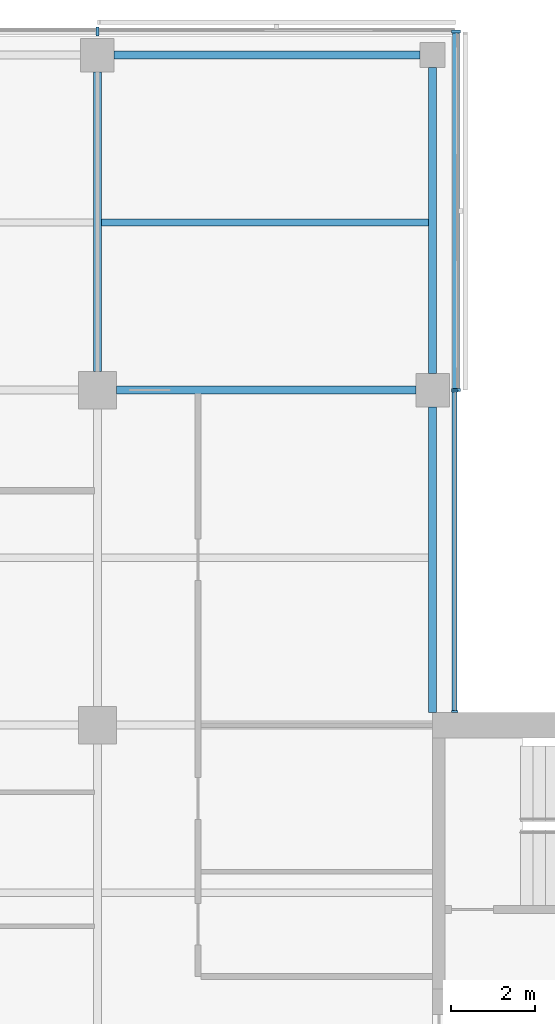
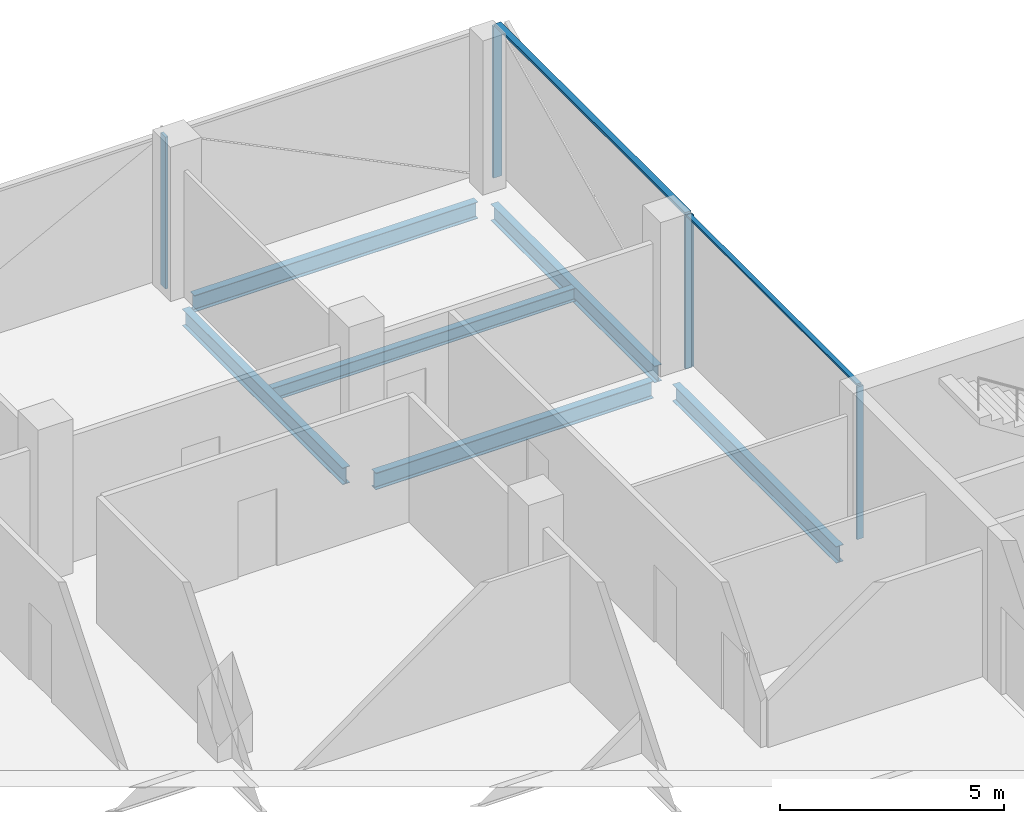
# One storey, part 7 of 15: 7 members, 6 beams, 3 elements without a shape of their own.
"""IFC4 building model written with IfcOpenShell, lengths in metres."""

from ifc_helpers import new_model, si_unit, direction, frame, origin, origin_2d, place, context, subcontext, project, spatial, rectangle, i_section, extrude, material, material_profile, profile_set, type_object, element, aggregate, save


model = new_model("IFC4")

# Units and contexts
model_context = context("Model", 3, precision=1e-05, world=origin(), true_north=direction((0.0, 1.0)))
body_context = subcontext(model_context, "Body", "Model", "MODEL_VIEW")
ifc_project = project(units=[si_unit("LENGTHUNIT", "METRE"), si_unit("AREAUNIT", "SQUARE_METRE"), si_unit("VOLUMEUNIT", "CUBIC_METRE"), si_unit("PLANEANGLEUNIT", "RADIAN"), si_unit("MASSUNIT", "GRAM", prefix="KILO")], contexts=[model_context])

# Site, building, storey
site_placement = place(None, origin())
site = spatial("IfcSite", under=ifc_project, at=site_placement, CompositionType="ELEMENT")
building_placement = place(site_placement, origin())
building = spatial("IfcBuilding", under=site, at=building_placement, Name="Crosswind Convention Tower", CompositionType="ELEMENT")
storey_placement = place(building_placement, frame((0.0, 0.0, 199.89990234375)))
storey = spatial("IfcBuildingStorey", under=building, at=storey_placement, Name="L42", CompositionType="ELEMENT", Elevation=199.89990234375)

# Beams
ifc_material_1 = material(Name="Steel S355", Category="steel")
ifc_material_profile_1 = material_profile(ifc_material_1, i_section(OverallWidth=0.18994140625, OverallDepth=0.45361328125, WebThickness=0.008544921875, FlangeThickness=0.0126953125, FilletRadius=0.01025390625, at=origin_2d()), Name="UB 457x191x67")
ifc_profile_set_1 = profile_set([ifc_material_profile_1], Name="Steel S355")
beam_type_1 = type_object("IfcBeamType", Name="Edge beam UB 457x191x67", PredefinedType="SPANDREL", material=ifc_profile_set_1)
for number, where, z_axis, x_axis, name in (
    (1, (129.39990234375, 128.0, -0.526611328125), (1.0, 0.0, 0.0), (0.0, 1.0, 0.0), "B16 L42 edge beam 10"),
    (2, (137.0, 112.300048828125, -0.526611328125), (0.0, 1.0, 0.0), (-1.0, 0.0, 0.0), "B16 L42 edge beam 13"),
    (3, (137.0, 120.39990234375, -0.526611328125), (0.0, 1.0, 0.0), (-1.0, 0.0, 0.0), "B16 L42 edge beam 14"),
):
    element("IfcBeam", number, at=place(storey_placement, frame(where, z_axis=z_axis, x_axis=x_axis)), inside=storey, type_object=beam_type_1, Name=name, PredefinedType="SPANDREL", context=body_context, shape_type="SweptSolid", body=[
        extrude(i_section(OverallWidth=0.18994140625, OverallDepth=0.45361328125, WebThickness=0.008544921875, FlangeThickness=0.0126953125, FilletRadius=0.01025390625, at=origin_2d()), origin(), (0.0, 0.0, 1.0), 7.300048828125),
    ])
ifc_material_profile_2 = material_profile(ifc_material_1, i_section(OverallWidth=0.1904296875, OverallDepth=0.457275390625, WebThickness=0.009033203125, FlangeThickness=0.014404296875, FilletRadius=0.01025390625, at=origin_2d()), Name="UB 457x191x75")
ifc_profile_set_2 = profile_set([ifc_material_profile_2], Name="Steel S355")
beam_type_2 = type_object("IfcBeamType", Name="Girder UB 457x191x75", PredefinedType="BEAM", material=ifc_profile_set_2)
for number, where, z_axis, x_axis, name in (
    (4, (129.0, 120.449951171875, -0.528564453125), (0.0, 1.0, 0.0), (-1.0, 0.0, 0.0), "B2 L42 girder 22"),
    (5, (129.449951171875, 120.0, -0.528564453125), (1.0, 0.0, 0.0), (0.0, 1.0, 0.0), "B2 L42 girder 24"),
):
    element("IfcBeam", number, at=place(storey_placement, frame(where, z_axis=z_axis, x_axis=x_axis)), inside=storey, type_object=beam_type_2, Name=name, PredefinedType="BEAM", context=body_context, shape_type="SweptSolid", body=[
        extrude(i_section(OverallWidth=0.1904296875, OverallDepth=0.457275390625, WebThickness=0.009033203125, FlangeThickness=0.014404296875, FilletRadius=0.01025390625, at=origin_2d()), origin(), (0.0, 0.0, 1.0), 7.150146484375),
    ])

# Curtain wall, members
ifc_material_2 = material(Name="Aluminium unitised curtain wall", Category="aluminium")
curtain_wall_type_1 = type_object("IfcCurtainWallType", Name="CORE END SLOT WALL 160", PredefinedType="USERDEFINED", material=ifc_material_2)
curtain_wall_1_placement = place(storey_placement, origin())
curtain_wall_1 = element("IfcCurtainWall", 6, at=curtain_wall_1_placement, inside=storey, type_object=curtain_wall_type_1, Name="CW6 L42 N-E.1-1 slot", ObjectType="UNITISED", PredefinedType="USERDEFINED")
ifc_material_3 = material(Name="Aluminium mullion", Category="aluminium")
ifc_material_profile_3 = material_profile(ifc_material_3, rectangle(XDim=0.159912109375, YDim=0.050048828125, at=origin_2d()), Name="AL 160X50")
ifc_profile_set_3 = profile_set([ifc_material_profile_3], Name="Aluminium mullion")
member_type_1 = type_object("IfcMemberType", Name="MULLION 50X160", PredefinedType="MULLION", material=ifc_profile_set_3)
member_1_placement = place(storey_placement, frame((137.530029296875, 112.324951171875, -0.2998046875), z_axis=(0.0, 0.0, 1.0), x_axis=(1.0, 0.0, 0.0)))
member_1 = element("IfcMember", 7, at=member_1_placement, type_object=member_type_1, Name="CW6 mullion 1", PredefinedType="MULLION", context=body_context, shape_type="SweptSolid", body=[
    extrude(rectangle(XDim=0.159912109375, YDim=0.050048828125, at=origin_2d()), origin(), (0.0, 0.0, 1.0), 4.14990234375),
])
member_2_placement = place(storey_placement, frame((137.530029296875, 119.97509765625, -0.2998046875), z_axis=(0.0, 0.0, 1.0), x_axis=(1.0, 0.0, 0.0)))
member_2 = element("IfcMember", 8, at=member_2_placement, type_object=member_type_1, Name="CW6 mullion 2", PredefinedType="MULLION", context=body_context, shape_type="SweptSolid", body=[
    extrude(rectangle(XDim=0.159912109375, YDim=0.050048828125, at=origin_2d()), origin(), (0.0, 0.0, 1.0), 4.14990234375),
])

curtain_wall_type_2 = type_object("IfcCurtainWallType", Name="OFFICE UNITISED WALL 220", PredefinedType="USERDEFINED", material=ifc_material_2)
curtain_wall_2_placement = place(storey_placement, origin())
curtain_wall_2 = element("IfcCurtainWall", 9, at=curtain_wall_2_placement, inside=storey, type_object=curtain_wall_type_2, Name="CW3 L42 N-E 1", ObjectType="UNITISED", PredefinedType="USERDEFINED")
ifc_material_profile_4 = material_profile(ifc_material_3, rectangle(XDim=0.219970703125, YDim=0.070068359375, at=origin_2d()), Name="AL 220X70")
ifc_profile_set_4 = profile_set([ifc_material_profile_4], Name="Aluminium mullion")
member_type_2 = type_object("IfcMemberType", Name="MULLION 70X220", PredefinedType="MULLION", material=ifc_profile_set_4)
member_3_placement = place(storey_placement, frame((137.56005859375, 120.0, -0.2998046875), z_axis=(0.0, 0.0, 1.0), x_axis=(1.0, 0.0, 0.0)))
member_3 = element("IfcMember", 10, at=member_3_placement, type_object=member_type_2, Name="CW3 mullion 1", PredefinedType="MULLION", context=body_context, shape_type="SweptSolid", body=[
    extrude(rectangle(XDim=0.219970703125, YDim=0.070068359375, at=origin_2d()), origin(), (0.0, 0.0, 1.0), 4.1298828125),
])
member_4_placement = place(storey_placement, frame((137.56005859375, 128.56005859375, -0.2998046875), z_axis=(0.0, 0.0, 1.0), x_axis=(1.0, 0.0, 0.0)))
member_4 = element("IfcMember", 11, at=member_4_placement, type_object=member_type_2, Name="CW3 mullion 2", PredefinedType="MULLION", context=body_context, shape_type="SweptSolid", body=[
    extrude(rectangle(XDim=0.219970703125, YDim=0.070068359375, at=origin_2d()), origin(), (0.0, 0.0, 1.0), 4.1298828125),
])

# Curtain wall, member
curtain_wall_3_placement = place(storey_placement, origin())
curtain_wall_3 = element("IfcCurtainWall", 12, at=curtain_wall_3_placement, inside=storey, type_object=curtain_wall_type_2, Name="CW3 L42 N-TIP 1", ObjectType="UNITISED", PredefinedType="USERDEFINED")
member_5_placement = place(storey_placement, frame((129.0, 128.56005859375, -0.2998046875), z_axis=(0.0, 0.0, 1.0), x_axis=(0.0, 1.0, 0.0)))
member_5 = element("IfcMember", 13, at=member_5_placement, type_object=member_type_2, Name="CW3 mullion 2", PredefinedType="MULLION", context=body_context, shape_type="SweptSolid", body=[
    extrude(rectangle(XDim=0.219970703125, YDim=0.070068359375, at=origin_2d()), origin(), (0.0, 0.0, 1.0), 4.1298828125),
])
aggregate(curtain_wall_3, [member_5])

# Beam
ifc_material_profile_5 = material_profile(ifc_material_1, i_section(OverallWidth=0.172119140625, OverallDepth=0.358642578125, WebThickness=0.008056640625, FlangeThickness=0.012939453125, FilletRadius=0.01025390625, at=origin_2d()), Name="UB 356x171x57")
ifc_profile_set_5 = profile_set([ifc_material_profile_5], Name="Steel S355")
beam_type_3 = type_object("IfcBeamType", Name="Secondary beam UB 356x171x57", PredefinedType="JOIST", material=ifc_profile_set_5)
beam_placement = place(storey_placement, frame((129.09521484375, 124.0, -0.479248046875), z_axis=(1.0, 0.0, 0.0), x_axis=(0.0, 1.0, 0.0)))
element("IfcBeam", 14, at=beam_placement, inside=storey, type_object=beam_type_3, Name="B9 L42 secondary beam 21", PredefinedType="JOIST", context=body_context, shape_type="SweptSolid", body=[
    extrude(i_section(OverallWidth=0.172119140625, OverallDepth=0.358642578125, WebThickness=0.008056640625, FlangeThickness=0.012939453125, FilletRadius=0.01025390625, at=origin_2d()), origin(), (0.0, 0.0, 1.0), 7.809814453125),
])

# Member
ifc_material_4 = material(Name="Aluminium transom", Category="aluminium")
ifc_material_profile_6 = material_profile(ifc_material_4, rectangle(XDim=0.1201171875, YDim=0.050048828125, at=origin_2d()), Name="AL 120X50")
ifc_profile_set_6 = profile_set([ifc_material_profile_6], Name="Aluminium transom")
member_type_3 = type_object("IfcMemberType", Name="TRANSOM 50X120", PredefinedType="USERDEFINED", material=ifc_profile_set_6)
member_6_placement = place(storey_placement, frame((137.530029296875, 112.35009765625, 3.875), z_axis=(0.0, 1.0, 0.0), x_axis=(-1.0, 0.0, 0.0)))
member_6 = element("IfcMember", 15, at=member_6_placement, type_object=member_type_3, Name="CW6 transom", ObjectType="TRANSOM", PredefinedType="USERDEFINED", context=body_context, shape_type="SweptSolid", body=[
    extrude(rectangle(XDim=0.1201171875, YDim=0.050048828125, at=origin_2d()), origin(), (0.0, 0.0, 1.0), 7.599853515625),
])

aggregate(curtain_wall_1, [member_1, member_2, member_6])

ifc_material_profile_7 = material_profile(ifc_material_4, rectangle(XDim=0.159912109375, YDim=0.070068359375, at=origin_2d()), Name="AL 160X70")
ifc_profile_set_7 = profile_set([ifc_material_profile_7], Name="Aluminium transom")
member_type_4 = type_object("IfcMemberType", Name="TRANSOM 70X160", PredefinedType="USERDEFINED", material=ifc_profile_set_7)
member_7_placement = place(storey_placement, frame((137.56005859375, 120.034912109375, 3.864990234375), z_axis=(0.0, 1.0, 0.0), x_axis=(-1.0, 0.0, 0.0)))
member_7 = element("IfcMember", 16, at=member_7_placement, type_object=member_type_4, Name="CW3 transom", ObjectType="TRANSOM", PredefinedType="USERDEFINED", context=body_context, shape_type="SweptSolid", body=[
    extrude(rectangle(XDim=0.159912109375, YDim=0.070068359375, at=origin_2d()), origin(), (0.0, 0.0, 1.0), 8.489990234375),
])

aggregate(curtain_wall_2, [member_3, member_4, member_7])

save(model, "model.ifc")
